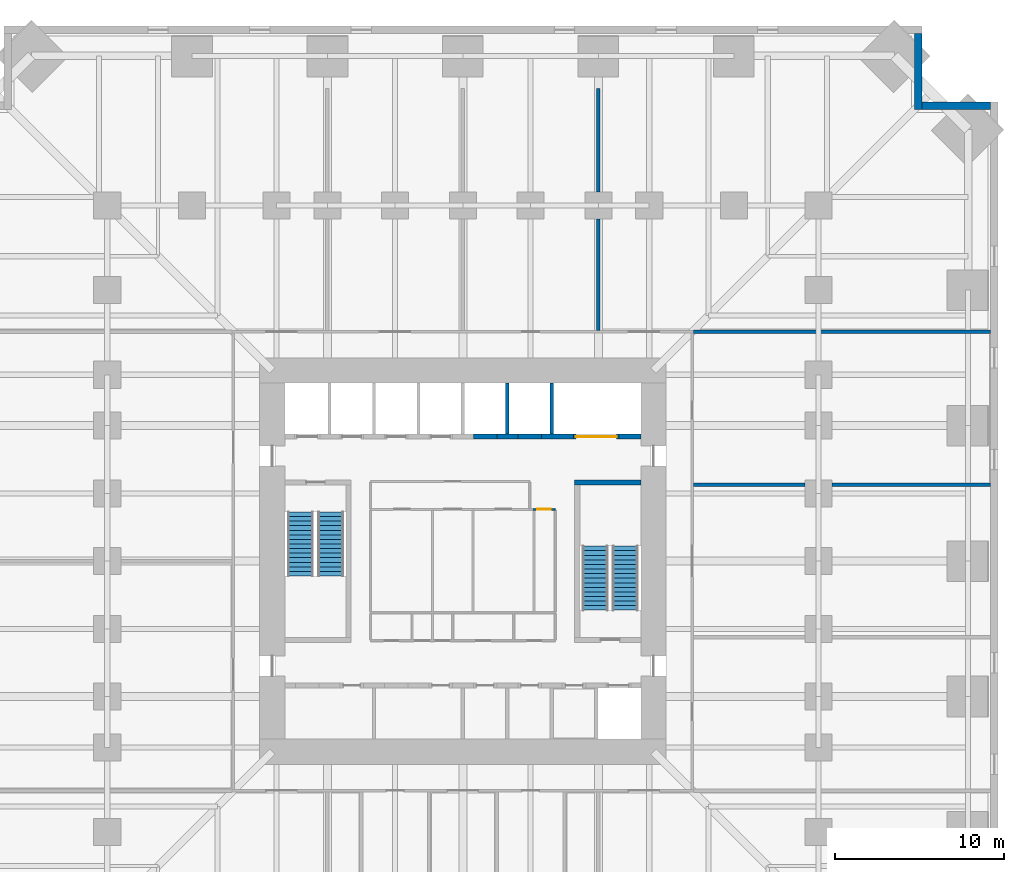
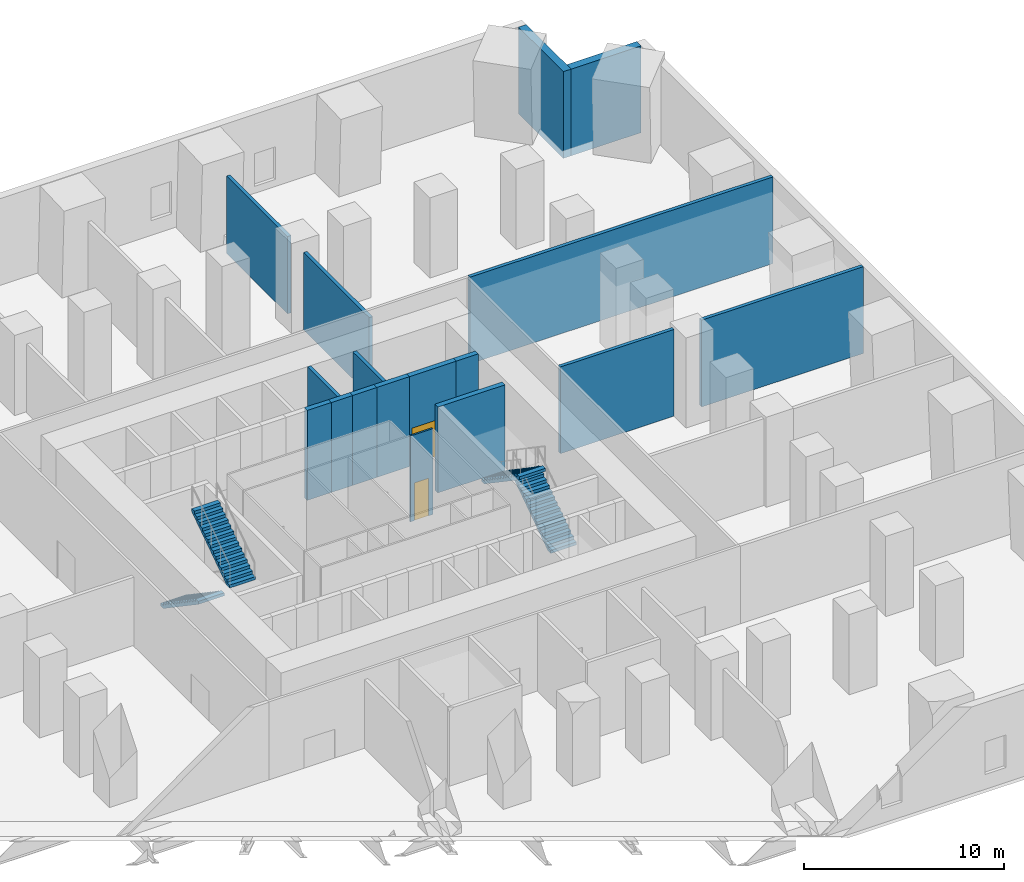
# One storey, part 7 of 8: 17 walls, 4 stair flights, 2 doors, 2 openings, 2 elements without a shape of their own.
"""IFC4 building model written with IfcOpenShell, lengths in metres."""

from ifc_helpers import new_model, si_unit, direction, frame, frame_2d, origin, place, context, subcontext, project, spatial, polyline, rectangle, outline, extrude, material, layer, layer_set, type_object, element, fill, aggregate, save


model = new_model("IFC4")

# Units and contexts
model_context = context("Model", 3, precision=1e-05, world=origin(), true_north=direction((0.0, 1.0)))
body_context = subcontext(model_context, "Body", "Model", "MODEL_VIEW")
ifc_project = project(units=[si_unit("LENGTHUNIT", "METRE"), si_unit("AREAUNIT", "SQUARE_METRE"), si_unit("VOLUMEUNIT", "CUBIC_METRE"), si_unit("PLANEANGLEUNIT", "RADIAN"), si_unit("MASSUNIT", "GRAM", prefix="KILO")], contexts=[model_context])

# Site, building, storey
site_placement = place(None, origin())
site = spatial("IfcSite", under=ifc_project, at=site_placement, CompositionType="ELEMENT")
building_placement = place(site_placement, origin())
building = spatial("IfcBuilding", under=site, at=building_placement, Name="Peilmerk Tower", CompositionType="ELEMENT")
storey_placement = place(building_placement, frame((0.0, 0.0, 26.5)))
storey = spatial("IfcBuildingStorey", under=building, at=storey_placement, Name="L05", CompositionType="ELEMENT", Elevation=26.5)

# Walls
ifc_material_1 = material(Name="Precast concrete C45/55, board-marked finish", Category="concrete")
ifc_layer_1 = layer(ifc_material_1, 0.449951171875)
ifc_layer_set_1 = layer_set([ifc_layer_1], Name="Precast concrete C45/55, board-marked finish")
wall_type_1 = type_object("IfcWallType", Name="EW1 450 precast concrete facade wall, board-marked", PredefinedType="SOLIDWALL", material=ifc_layer_set_1)
wall_1_placement = place(storey_placement, frame((26.875, 26.64990234375, 0.0), z_axis=(0.0, 0.0, 1.0), x_axis=(0.0, 1.0, 0.0)))
element("IfcWall", 1, at=wall_1_placement, inside=storey, type_object=wall_type_1, Name="Facade wall NEA L05", PredefinedType="SOLIDWALL", context=body_context, shape_type="SweptSolid", body=[
    extrude(rectangle(XDim=4.5, YDim=0.449951171875, at=frame_2d((2.25, 0.0))), origin(), (0.0, 0.0, 1.0), 5.300048828125),
])
wall_2_placement = place(storey_placement, frame((27.10009765625, 26.875, 0.0), z_axis=(0.0, 0.0, 1.0), x_axis=(1.0, 0.0, 0.0)))
element("IfcWall", 2, at=wall_2_placement, inside=storey, type_object=wall_type_1, Name="Facade wall NEB L05", PredefinedType="SOLIDWALL", context=body_context, shape_type="SweptSolid", body=[
    extrude(rectangle(XDim=4.0498046875, YDim=0.449951171875, at=frame_2d((2.02490234375, 0.0))), origin(), (0.0, 0.0, 1.0), 5.300048828125),
])
ifc_material_2 = material(Name="Calcium silicate block", Category="masonry")
ifc_layer_2 = layer(ifc_material_2, 0.199951171875)
ifc_layer_set_2 = layer_set([ifc_layer_2], Name="Calcium silicate block")
wall_type_2 = type_object("IfcWallType", Name="IW2 200 room separating wall, EI 120", PredefinedType="PARTITIONING", material=ifc_layer_set_2)
wall_3_placement = place(storey_placement, frame((13.625, 13.550048828125, 0.0), z_axis=(0.0, 0.0, 1.0), x_axis=(1.0, 0.0, 0.0)))
element("IfcWall", 3, at=wall_3_placement, inside=storey, type_object=wall_type_2, Name="Room separating wall NE L05", PredefinedType="PARTITIONING", context=body_context, shape_type="SweptSolid", body=[
    extrude(rectangle(XDim=17.52490234375, YDim=0.199951171875, at=frame_2d((8.762451171875, 0.0))), origin(), (0.0, 0.0, 1.0), 5.300048828125),
])
wall_4_placement = place(storey_placement, frame((8.0, 13.625, 0.0), z_axis=(0.0, 0.0, 1.0), x_axis=(0.0, 1.0, 0.0)))
element("IfcWall", 4, at=wall_4_placement, inside=storey, type_object=wall_type_2, Name="Room separating wall N3 L05", PredefinedType="PARTITIONING", context=body_context, shape_type="SweptSolid", body=[
    extrude(rectangle(XDim=6.574951171875, YDim=0.199951171875, at=frame_2d((3.28759765625, 0.0))), origin(), (0.0, 0.0, 1.0), 4.73095703125),
])
wall_5_placement = place(storey_placement, frame((8.0, 21.800048828125, 0.0), z_axis=(0.0, 0.0, 1.0), x_axis=(0.0, 1.0, 0.0)))
element("IfcWall", 5, at=wall_5_placement, inside=storey, type_object=wall_type_2, Name="Room separating wall N3b L05", PredefinedType="PARTITIONING", context=body_context, shape_type="SweptSolid", body=[
    extrude(rectangle(XDim=6.109375, YDim=0.199951171875, at=frame_2d((3.0546875, 0.0))), origin(), (0.0, 0.0, 1.0), 4.73095703125),
])
wall_6_placement = place(storey_placement, frame((13.625, 4.5, 0.0), z_axis=(0.0, 0.0, 1.0), x_axis=(1.0, 0.0, 0.0)))
element("IfcWall", 6, at=wall_6_placement, inside=storey, type_object=wall_type_2, Name="Room separating wall E2 L05", PredefinedType="PARTITIONING", context=body_context, shape_type="SweptSolid", body=[
    extrude(rectangle(XDim=6.574951171875, YDim=0.199951171875, at=frame_2d((3.28759765625, 0.0))), origin(), (0.0, 0.0, 1.0), 5.300048828125),
])
wall_7_placement = place(storey_placement, frame((21.800048828125, 4.5, 0.0), z_axis=(0.0, 0.0, 1.0), x_axis=(1.0, 0.0, 0.0)))
element("IfcWall", 7, at=wall_7_placement, inside=storey, type_object=wall_type_2, Name="Room separating wall E2b L05", PredefinedType="PARTITIONING", context=body_context, shape_type="SweptSolid", body=[
    extrude(rectangle(XDim=9.349853515625, YDim=0.199951171875, at=frame_2d((4.6748046875, 0.0))), origin(), (0.0, 0.0, 1.0), 5.300048828125),
])
ifc_material_3 = material(Name="Concrete C35/45", Category="concrete")
ifc_layer_3 = layer(ifc_material_3, 0.300048828125)
ifc_layer_set_3 = layer_set([ifc_layer_3], Name="Concrete C35/45")
wall_type_3 = type_object("IfcWallType", Name="IW3 300 concrete stair enclosure wall, EI 120", PredefinedType="SOLIDWALL", material=ifc_layer_set_3)
wall_8_placement = place(storey_placement, frame((6.60009765625, 4.64990234375, 0.0), z_axis=(0.0, 0.0, 1.0), x_axis=(1.0, 0.0, 0.0)))
element("IfcWall", 8, at=wall_8_placement, inside=storey, type_object=wall_type_3, Name="Stair 2 enclosure L05", PredefinedType="SOLIDWALL", context=body_context, shape_type="SweptSolid", body=[
    extrude(rectangle(XDim=3.89990234375, YDim=0.300048828125, at=frame_2d((1.949951171875, 0.0))), origin(), (0.0, 0.0, 1.0), 5.25),
])

# Wall, opening, door
ifc_material_4 = material(Name="Calcium silicate board on steel studs", Category="steel")
ifc_layer_4 = layer(ifc_material_4, 0.10009765625)
ifc_layer_set_4 = layer_set([ifc_layer_4], Name="Calcium silicate board on steel studs")
wall_type_4 = type_object("IfcWallType", Name="IW5 100 riser enclosure wall, EI 60", PredefinedType="PARTITIONING", material=ifc_layer_set_4)
wall_9_placement = place(storey_placement, frame((4.14990234375, 3.050048828125, 0.0), z_axis=(0.0, 0.0, 1.0), x_axis=(1.0, 0.0, 0.0)))
wall_9 = element("IfcWall", 9, at=wall_9_placement, inside=storey, type_object=wall_type_4, Name="Riser wall L05", PredefinedType="PARTITIONING", context=body_context, shape_type="SweptSolid", body=[
    extrude(rectangle(XDim=1.300048828125, YDim=0.10009765625, at=frame_2d((0.64990234375, 0.0))), origin(), (0.0, 0.0, 1.0), 5.25),
])
opening_1_placement = place(wall_9_placement, frame((0.25, 0.0, 0.0)))
opening_1 = element("IfcOpeningElement", 10, at=opening_1_placement, cuts=wall_9, Name="Opening D7", PredefinedType="OPENING", context=body_context, shape_type="SweptSolid", body=[
    extrude(rectangle(XDim=0.800048828125, YDim=2.300048828125, at=frame_2d((0.39990234375, 1.14990234375))), frame((0.0, 0.06005859375, 0.0), z_axis=(0.0, -1.0, 0.0), x_axis=(1.0, 0.0, 0.0)), (0.0, 0.0, 1.0), 0.1201171875),
])
ifc_material_5 = material(Name="Steel door in steel frame", Category="steel")
door_type_1 = type_object("IfcDoorType", Name="D7 800x2300 riser access door, EI2 60", OperationType="SINGLE_SWING_RIGHT", PredefinedType="DOOR", material=ifc_material_5)
door_1_placement = place(opening_1_placement, frame((0.800048828125, 0.0, 0.0), z_axis=(0.0, 0.0, 1.0), x_axis=(-1.0, 0.0, 0.0)))
door_1 = element("IfcDoor", 11, at=door_1_placement, inside=storey, type_object=door_type_1, Name="Plumbing riser door L05", OperationType="SINGLE_SWING_RIGHT", OverallHeight=2.300048828125, OverallWidth=0.800048828125, PredefinedType="DOOR", context=body_context, shape_type="SweptSolid", body=[
    extrude(rectangle(XDim=0.800048828125, YDim=2.300048828125, at=frame_2d((0.39990234375, 1.14990234375))), frame((0.0, 0.02490234375, 0.0), z_axis=(0.0, -1.0, 0.0), x_axis=(1.0, 0.0, 0.0)), (0.0, 0.0, 1.0), 0.050048828125),
])
fill(opening_1, door_1)

# Walls
ifc_layer_5 = layer(ifc_material_2, 0.199951171875)
ifc_layer_set_5 = layer_set([ifc_layer_5], Name="Calcium silicate block")
wall_type_5 = type_object("IfcWallType", Name="SH1 200 shaft dividing wall, EI 120", PredefinedType="PARTITIONING", material=ifc_layer_set_5)
for number, where, z_axis, x_axis, name in (
    (12, (2.625, 7.5, 0.0), (0.0, 0.0, 1.0), (0.0, 1.0, 0.0), "Shaft wall N S1 L05"),
    (13, (5.25, 7.5, 0.0), (0.0, 0.0, 1.0), (0.0, 1.0, 0.0), "Shaft wall N S2 L05"),
):
    element("IfcWall", number, at=place(storey_placement, frame(where, z_axis=z_axis, x_axis=x_axis)), inside=storey, type_object=wall_type_5, Name=name, PredefinedType="PARTITIONING", context=body_context, shape_type="SweptSolid", body=[
        extrude(rectangle(XDim=3.0, YDim=0.199951171875, at=frame_2d((1.5, 0.0))), origin(), (0.0, 0.0, 1.0), 5.5),
    ])
ifc_layer_6 = layer(ifc_material_2, 0.300048828125)
ifc_layer_set_6 = layer_set([ifc_layer_6], Name="Calcium silicate block")
wall_type_6 = type_object("IfcWallType", Name="SH2 300 lift landing door panel, EI 120", PredefinedType="PARTITIONING", material=ifc_layer_set_6)
for number, where, z_axis, x_axis, name in (
    (14, (0.612548828125, 7.35009765625, 0.0), (0.0, 0.0, 1.0), (1.0, 0.0, 0.0), "Lift door panel N S1 L05"),
    (15, (3.237548828125, 7.35009765625, 0.0), (0.0, 0.0, 1.0), (1.0, 0.0, 0.0), "Lift door panel N S2 L05"),
):
    element("IfcWall", number, at=place(storey_placement, frame(where, z_axis=z_axis, x_axis=x_axis)), inside=storey, type_object=wall_type_6, Name=name, PredefinedType="PARTITIONING", context=body_context, shape_type="SweptSolid", body=[
        extrude(rectangle(XDim=1.39990234375, YDim=0.300048828125, at=frame_2d((0.699951171875, 0.0))), origin(), (0.0, 0.0, 1.0), 5.5),
    ])

# Wall, opening, door
wall_10_placement = place(storey_placement, frame((6.52490234375, 7.35009765625, 0.0), z_axis=(0.0, 0.0, 1.0), x_axis=(1.0, 0.0, 0.0)))
wall_10 = element("IfcWall", 16, at=wall_10_placement, inside=storey, type_object=wall_type_6, Name="Lift door panel N GL1 L05", PredefinedType="PARTITIONING", context=body_context, shape_type="SweptSolid", body=[
    extrude(rectangle(XDim=2.7001953125, YDim=0.300048828125, at=frame_2d((1.35009765625, 0.0))), origin(), (0.0, 0.0, 1.0), 5.5),
])
opening_2_placement = place(wall_10_placement, frame((0.14990234375, 0.0, 0.0)))
opening_2 = element("IfcOpeningElement", 17, at=opening_2_placement, cuts=wall_10, Name="Opening LD3", PredefinedType="OPENING", context=body_context, shape_type="SweptSolid", body=[
    extrude(rectangle(XDim=2.39990234375, YDim=2.300048828125, at=frame_2d((1.199951171875, 1.14990234375))), frame((0.0, 0.159912109375, 0.0), z_axis=(0.0, -1.0, 0.0), x_axis=(1.0, 0.0, 0.0)), (0.0, 0.0, 1.0), 0.320068359375),
])
ifc_material_6 = material(Name="Stainless steel landing door", Category="steel")
door_type_2 = type_object("IfcDoorType", Name="LD3 2400x2300 lift landing door, sliding, EI2 60", OperationType="SLIDING_TO_LEFT", PredefinedType="DOOR", material=ifc_material_6)
door_2_placement = place(opening_2_placement, frame((2.39990234375, 0.0, 0.0), z_axis=(0.0, 0.0, 1.0), x_axis=(-1.0, 0.0, 0.0)))
door_2 = element("IfcDoor", 18, at=door_2_placement, inside=storey, type_object=door_type_2, Name="Lift landing door GL1 L05", OperationType="SLIDING_TO_LEFT", OverallHeight=2.300048828125, OverallWidth=2.39990234375, PredefinedType="DOOR", context=body_context, shape_type="SweptSolid", body=[
    extrude(rectangle(XDim=2.39990234375, YDim=2.300048828125, at=frame_2d((1.199951171875, 1.14990234375))), frame((0.0, 0.02490234375, 0.0), z_axis=(0.0, -1.0, 0.0), x_axis=(1.0, 0.0, 0.0)), (0.0, 0.0, 1.0), 0.050048828125),
])
fill(opening_2, door_2)

# Walls
ifc_material_7 = material(Name="Concrete C55/67", Category="concrete")
ifc_layer_7 = layer(ifc_material_7, 0.300048828125)
ifc_layer_set_7 = layer_set([ifc_layer_7], Name="Concrete C55/67")
wall_type_7 = type_object("IfcWallType", Name="SW2 300 lift bank pier", PredefinedType="SHEAR", material=ifc_layer_set_7)
wall_11_placement = place(storey_placement, frame((2.012451171875, 7.35009765625, 0.0), z_axis=(0.0, 0.0, 1.0), x_axis=(1.0, 0.0, 0.0)))
element("IfcWall", 19, at=wall_11_placement, inside=storey, type_object=wall_type_7, Name="Lift bank pier N L05", PredefinedType="SHEAR", context=body_context, shape_type="SweptSolid", body=[
    extrude(rectangle(XDim=1.22509765625, YDim=0.300048828125, at=frame_2d((0.612548828125, 0.0))), origin(), (0.0, 0.0, 1.0), 5.5),
])
wall_12_placement = place(storey_placement, frame((4.637451171875, 7.35009765625, 0.0), z_axis=(0.0, 0.0, 1.0), x_axis=(1.0, 0.0, 0.0)))
element("IfcWall", 20, at=wall_12_placement, inside=storey, type_object=wall_type_7, Name="Lift bank pier N L05", PredefinedType="SHEAR", context=body_context, shape_type="SweptSolid", body=[
    extrude(rectangle(XDim=1.887451171875, YDim=0.300048828125, at=frame_2d((0.94384765625, 0.0))), origin(), (0.0, 0.0, 1.0), 5.5),
])
wall_13_placement = place(storey_placement, frame((9.22509765625, 7.35009765625, 0.0), z_axis=(0.0, 0.0, 1.0), x_axis=(1.0, 0.0, 0.0)))
element("IfcWall", 21, at=wall_13_placement, inside=storey, type_object=wall_type_7, Name="Lift bank pier N L05", PredefinedType="SHEAR", context=body_context, shape_type="SweptSolid", body=[
    extrude(rectangle(XDim=1.27490234375, YDim=0.300048828125, at=frame_2d((0.637451171875, 0.0))), origin(), (0.0, 0.0, 1.0), 5.5),
])

# Stair, stair flights
ifc_material_8 = material(Name="Precast concrete C45/55", Category="concrete")
stair_type_1 = type_object("IfcStairType", Name="ST1 30 risers of 183.3", PredefinedType="HALF_TURN_STAIR", material=ifc_material_8)
stair_1_placement = place(storey_placement, origin())
stair_1 = element("IfcStair", 22, at=stair_1_placement, inside=storey, type_object=stair_type_1, Name="Stair 1 L05 to L06", PredefinedType="HALF_TURN_STAIR")
stair_flight_type = type_object("IfcStairFlightType", Name="SF15 flight, 15 risers of 183.3", PredefinedType="STRAIGHT", material=ifc_material_8)
stair_flight_1_placement = place(storey_placement, frame((-9.60009765625, 2.89990234375, 0.0), z_axis=(0.0, 0.0, 1.0), x_axis=(0.0, -1.0, 0.0)))
stair_flight_1 = element("IfcStairFlight", 23, at=stair_flight_1_placement, type_object=stair_flight_type, Name="ST1 flight 1", NumberOfRisers=15, NumberOfTreads=14, PredefinedType="STRAIGHT", RiserHeight=0.183333333, TreadLength=0.27, context=body_context, shape_type="SweptSolid", body=[
    extrude(outline(polyline([(0.0, 0.0), (0.0, 0.183349609375), (0.27001953125, 0.183349609375), (0.27001953125, 0.36669921875), (0.5400390625, 0.36669921875), (0.5400390625, 0.550048828125), (0.81005859375, 0.550048828125), (0.81005859375, 0.7333984375), (1.080078125, 0.7333984375), (1.080078125, 0.916748046875), (1.35009765625, 0.916748046875), (1.35009765625, 1.10009765625), (1.6201171875, 1.10009765625), (1.6201171875, 1.283447265625), (1.889892578125, 1.283447265625), (1.889892578125, 1.466552734375), (2.159912109375, 1.466552734375), (2.159912109375, 1.64990234375), (2.429931640625, 1.64990234375), (2.429931640625, 1.833251953125), (2.699951171875, 1.833251953125), (2.699951171875, 2.0166015625), (2.969970703125, 2.0166015625), (2.969970703125, 2.199951171875), (3.239990234375, 2.199951171875), (3.239990234375, 2.38330078125), (3.510009765625, 2.38330078125), (3.510009765625, 2.566650390625), (3.780029296875, 2.566650390625), (3.780029296875, 2.75), (3.780029296875, 2.385498046875), (0.266845703125, 0.0), (0.0, 0.0)])), frame((0.0, 0.75, 0.0), z_axis=(0.0, -1.0, 0.0), x_axis=(1.0, 0.0, 0.0)), (0.0, 0.0, 1.0), 1.5),
])
stair_flight_2_placement = place(storey_placement, frame((-7.800048828125, -0.8798828125, 2.75), z_axis=(0.0, 0.0, 1.0), x_axis=(0.0, 1.0, 0.0)))
stair_flight_2 = element("IfcStairFlight", 24, at=stair_flight_2_placement, type_object=stair_flight_type, Name="ST1 flight 2", NumberOfRisers=15, NumberOfTreads=14, PredefinedType="STRAIGHT", RiserHeight=0.183333333, TreadLength=0.27, context=body_context, shape_type="SweptSolid", body=[
    extrude(outline(polyline([(0.0, 0.0), (0.0, 0.183349609375), (0.27001953125, 0.183349609375), (0.27001953125, 0.36669921875), (0.5400390625, 0.36669921875), (0.5400390625, 0.550048828125), (0.81005859375, 0.550048828125), (0.81005859375, 0.7333984375), (1.080078125, 0.7333984375), (1.080078125, 0.916748046875), (1.35009765625, 0.916748046875), (1.35009765625, 1.10009765625), (1.6201171875, 1.10009765625), (1.6201171875, 1.283447265625), (1.889892578125, 1.283447265625), (1.889892578125, 1.466552734375), (2.159912109375, 1.466552734375), (2.159912109375, 1.64990234375), (2.429931640625, 1.64990234375), (2.429931640625, 1.833251953125), (2.699951171875, 1.833251953125), (2.699951171875, 2.0166015625), (2.969970703125, 2.0166015625), (2.969970703125, 2.199951171875), (3.239990234375, 2.199951171875), (3.239990234375, 2.38330078125), (3.510009765625, 2.38330078125), (3.510009765625, 2.566650390625), (3.780029296875, 2.566650390625), (3.780029296875, 2.75), (3.780029296875, 2.385498046875), (0.266845703125, 0.0), (0.0, 0.0)])), frame((0.0, 0.75, 0.0), z_axis=(0.0, -1.0, 0.0), x_axis=(1.0, 0.0, 0.0)), (0.0, 0.0, 1.0), 1.5),
])
aggregate(stair_1, [stair_flight_1, stair_flight_2])

stair_type_2 = type_object("IfcStairType", Name="ST2 30 risers of 183.3", PredefinedType="HALF_TURN_STAIR", material=ifc_material_8)
stair_2_placement = place(storey_placement, origin())
stair_2 = element("IfcStair", 25, at=stair_2_placement, inside=storey, type_object=stair_type_2, Name="Stair 2 L05 to L06", PredefinedType="HALF_TURN_STAIR")
stair_flight_3_placement = place(storey_placement, frame((9.60009765625, -2.89990234375, 0.0), z_axis=(0.0, 0.0, 1.0), x_axis=(0.0, 1.0, 0.0)))
stair_flight_3 = element("IfcStairFlight", 26, at=stair_flight_3_placement, type_object=stair_flight_type, Name="ST2 flight 1", NumberOfRisers=15, NumberOfTreads=14, PredefinedType="STRAIGHT", RiserHeight=0.183333333, TreadLength=0.27, context=body_context, shape_type="SweptSolid", body=[
    extrude(outline(polyline([(0.0, 0.0), (0.0, 0.183349609375), (0.27001953125, 0.183349609375), (0.27001953125, 0.36669921875), (0.5400390625, 0.36669921875), (0.5400390625, 0.550048828125), (0.81005859375, 0.550048828125), (0.81005859375, 0.7333984375), (1.080078125, 0.7333984375), (1.080078125, 0.916748046875), (1.35009765625, 0.916748046875), (1.35009765625, 1.10009765625), (1.6201171875, 1.10009765625), (1.6201171875, 1.283447265625), (1.889892578125, 1.283447265625), (1.889892578125, 1.466552734375), (2.159912109375, 1.466552734375), (2.159912109375, 1.64990234375), (2.429931640625, 1.64990234375), (2.429931640625, 1.833251953125), (2.699951171875, 1.833251953125), (2.699951171875, 2.0166015625), (2.969970703125, 2.0166015625), (2.969970703125, 2.199951171875), (3.239990234375, 2.199951171875), (3.239990234375, 2.38330078125), (3.510009765625, 2.38330078125), (3.510009765625, 2.566650390625), (3.780029296875, 2.566650390625), (3.780029296875, 2.75), (3.780029296875, 2.385498046875), (0.266845703125, 0.0), (0.0, 0.0)])), frame((0.0, 0.75, 0.0), z_axis=(0.0, -1.0, 0.0), x_axis=(1.0, 0.0, 0.0)), (0.0, 0.0, 1.0), 1.5),
])
stair_flight_4_placement = place(storey_placement, frame((7.800048828125, 0.8798828125, 2.75), z_axis=(0.0, 0.0, 1.0), x_axis=(0.0, -1.0, 0.0)))
stair_flight_4 = element("IfcStairFlight", 27, at=stair_flight_4_placement, type_object=stair_flight_type, Name="ST2 flight 2", NumberOfRisers=15, NumberOfTreads=14, PredefinedType="STRAIGHT", RiserHeight=0.183333333, TreadLength=0.27, context=body_context, shape_type="SweptSolid", body=[
    extrude(outline(polyline([(0.0, 0.0), (0.0, 0.183349609375), (0.27001953125, 0.183349609375), (0.27001953125, 0.36669921875), (0.5400390625, 0.36669921875), (0.5400390625, 0.550048828125), (0.81005859375, 0.550048828125), (0.81005859375, 0.7333984375), (1.080078125, 0.7333984375), (1.080078125, 0.916748046875), (1.35009765625, 0.916748046875), (1.35009765625, 1.10009765625), (1.6201171875, 1.10009765625), (1.6201171875, 1.283447265625), (1.889892578125, 1.283447265625), (1.889892578125, 1.466552734375), (2.159912109375, 1.466552734375), (2.159912109375, 1.64990234375), (2.429931640625, 1.64990234375), (2.429931640625, 1.833251953125), (2.699951171875, 1.833251953125), (2.699951171875, 2.0166015625), (2.969970703125, 2.0166015625), (2.969970703125, 2.199951171875), (3.239990234375, 2.199951171875), (3.239990234375, 2.38330078125), (3.510009765625, 2.38330078125), (3.510009765625, 2.566650390625), (3.780029296875, 2.566650390625), (3.780029296875, 2.75), (3.780029296875, 2.385498046875), (0.266845703125, 0.0), (0.0, 0.0)])), frame((0.0, 0.75, 0.0), z_axis=(0.0, -1.0, 0.0), x_axis=(1.0, 0.0, 0.0)), (0.0, 0.0, 1.0), 1.5),
])
aggregate(stair_2, [stair_flight_3, stair_flight_4])

save(model, "model.ifc")
